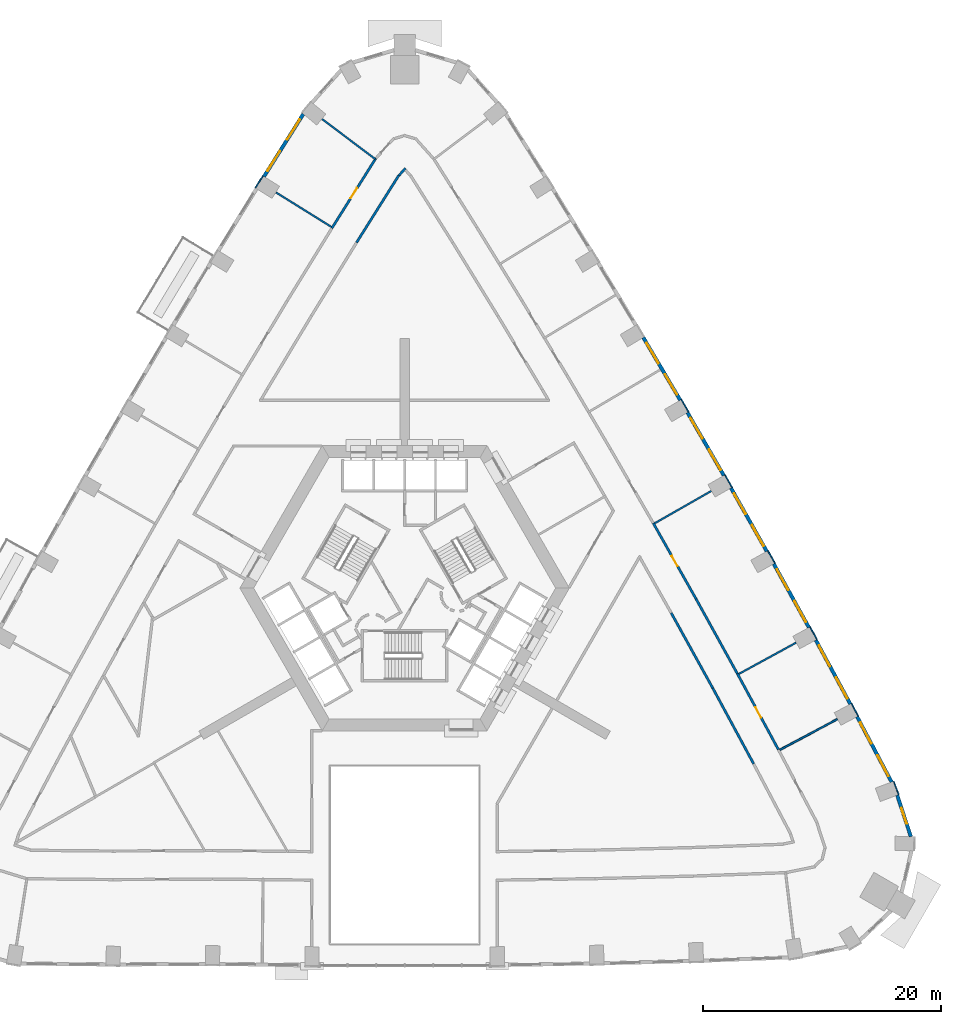
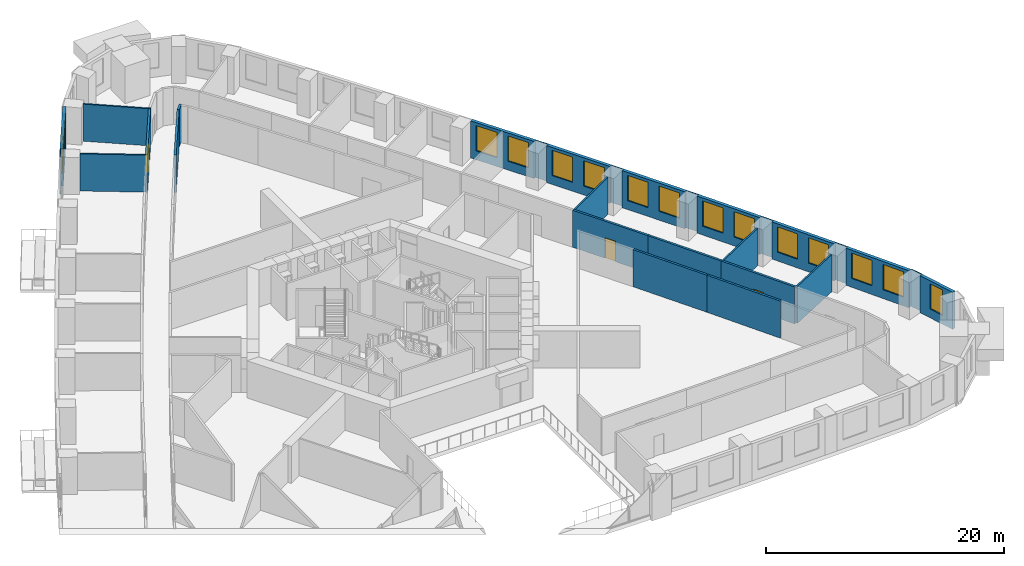
# One storey, part 11 of 16: 28 walls, 15 windows, 3 doors, 18 openings.
"""IFC4 building model written with IfcOpenShell, lengths in metres."""

import ifcopenshell
import ifcopenshell.guid

model = None  # the IFC model being written
_history = None  # IfcOwnerHistory: only IFC2X3 demands one
_inside = {}  # id of a spatial element -> (the spatial element, [elements in it])
_under = {}  # id of a project, library or spatial element -> (it, [spatial elements below it])
_declared = {}  # id of a project -> (the project, [libraries it declares])
_typed = {}  # id of a type object -> (the type object, [elements of that type])
_made_of = {}  # id of a material, layer set ... -> (it, [elements and type objects made of it])


def new_model(schema):
    """Start an empty IFC model of exactly this schema.

    Asked for "IFC4X3", IfcOpenShell would pick the latest addendum, in which some entities
    have other attributes; the version numbers below select the first issue.
    IFC2X3 requires an IfcOwnerHistory on every rooted entity: one is made here for all.
    """
    global model, _history
    if schema == "IFC4X3":
        model = ifcopenshell.file(schema_version=(4, 3, 0, 0))
    else:
        model = ifcopenshell.file(schema=schema)
    _inside.clear()
    _under.clear()
    _declared.clear()
    _typed.clear()
    _made_of.clear()
    _history = None
    if model.schema == "IFC2X3":
        org = make("IfcOrganization", Name="unknown")
        user = make(
            "IfcPersonAndOrganization",
            ThePerson=make("IfcPerson", FamilyName="unknown"),
            TheOrganization=org,
        )
        app = make(
            "IfcApplication",
            ApplicationDeveloper=org,
            Version="unknown",
            ApplicationFullName="unknown",
            ApplicationIdentifier="unknown",
        )
        _history = make(
            "IfcOwnerHistory",
            OwningUser=user,
            OwningApplication=app,
            ChangeAction="ADDED",
            CreationDate=0,
        )
    return model


def make(cls, **values):
    """One entity of the class cls with the attributes given. An attribute that is None is left unset."""
    return model.create_entity(
        cls, **{name: value for name, value in values.items() if value is not None}
    )


def rooted(cls, **values):
    """An entity with a GlobalId (a new one), such as an element, a storey or a relation."""
    return make(cls, GlobalId=ifcopenshell.guid.new(), OwnerHistory=_history, **values)


def si_unit(unit_type, name, prefix=None):
    """IfcSIUnit, for example si_unit("LENGTHUNIT", "METRE", prefix="MILLI")."""
    return make("IfcSIUnit", UnitType=unit_type, Prefix=prefix, Name=name)


def assignment(units):
    """IfcUnitAssignment: the units of a project."""
    return None if units is None else make("IfcUnitAssignment", Units=units)


def point(xyz):
    """IfcCartesianPoint."""
    return None if xyz is None else make("IfcCartesianPoint", Coordinates=xyz)


def direction(xyz):
    """IfcDirection."""
    return None if xyz is None else make("IfcDirection", DirectionRatios=xyz)


def frame(location, z_axis=None, x_axis=None):
    """IfcAxis2Placement3D, a coordinate frame: its origin and axes. An axis left out is left unset."""
    return make(
        "IfcAxis2Placement3D",
        Location=point(location),
        Axis=direction(z_axis),
        RefDirection=direction(x_axis),
    )


def frame_2d(location, x_axis=None):
    """IfcAxis2Placement2D, a coordinate frame in the plane: its origin and x axis."""
    return make(
        "IfcAxis2Placement2D", Location=point(location), RefDirection=direction(x_axis)
    )


def origin():
    """The frame at (0, 0, 0) with its axes left unset."""
    return frame((0.0, 0.0, 0.0))


def place(relative_to, where):
    """IfcLocalPlacement: puts the frame where relative to a parent placement (None: the world)."""
    return make(
        "IfcLocalPlacement", PlacementRelTo=relative_to, RelativePlacement=where
    )


def context(
    kind, dimensions, precision=None, world=None, true_north=None, identifier=None
):
    """IfcGeometricRepresentationContext, for example the 3D "Model" context."""
    return make(
        "IfcGeometricRepresentationContext",
        ContextIdentifier=identifier,
        ContextType=kind,
        CoordinateSpaceDimension=dimensions,
        Precision=precision,
        WorldCoordinateSystem=world,
        TrueNorth=true_north,
    )


def subcontext(parent, identifier, kind, view, scale=None):
    """IfcGeometricRepresentationSubContext, for example "Body" below "Model"."""
    return make(
        "IfcGeometricRepresentationSubContext",
        ContextIdentifier=identifier,
        ContextType=kind,
        ParentContext=parent,
        TargetScale=scale,
        TargetView=view,
    )


def project(units=None, contexts=None):
    """IfcProject with its units and contexts."""
    return rooted(
        "IfcProject",
        Name="project",
        RepresentationContexts=contexts,
        UnitsInContext=assignment(units),
    )


def spatial(cls, under=None, at=None, **own):
    """A site, building, storey or space (cls), placed at a placement, below another one or the project."""
    s = rooted(cls, ObjectPlacement=at, **own)
    if under is not None:
        _under.setdefault(under.id(), (under, []))[1].append(s)
    return s


def profile(cls, at=None, kind="AREA", **sizes):
    """A parametric profile (cls). Its sizes go by their IFC names, for example OverallWidth=200.0."""
    return make(cls, ProfileType=kind, Position=at, **sizes)


def rectangle(**sizes):
    """IfcRectangleProfileDef."""
    return profile("IfcRectangleProfileDef", **sizes)


def extrude(swept, where, along, depth):
    """IfcExtrudedAreaSolid: the profile swept, set in the frame where, extruded along a direction by depth."""
    return make(
        "IfcExtrudedAreaSolid",
        SweptArea=swept,
        Position=where,
        ExtrudedDirection=direction(along),
        Depth=depth,
    )


def shape(context_of_items, identifier, shape_type, items):
    """IfcShapeRepresentation: the items that make up one representation, for example the "Body"."""
    return make(
        "IfcShapeRepresentation",
        ContextOfItems=context_of_items,
        RepresentationIdentifier=identifier,
        RepresentationType=shape_type,
        Items=items,
    )


def material(Name=None, Category=None):
    """IfcMaterial."""
    return make("IfcMaterial", Name=Name, Category=Category)


def layer(
    of_material, thickness, ventilated=None, Name=None, Category=None, Priority=None
):
    """IfcMaterialLayer: one layer of a wall or slab, of a material (None: an air gap)."""
    return make(
        "IfcMaterialLayer",
        Material=of_material,
        LayerThickness=thickness,
        IsVentilated=ventilated,
        Name=Name,
        Category=Category,
        Priority=Priority,
    )


def layer_set(layers, Name=None):
    """IfcMaterialLayerSet."""
    return make("IfcMaterialLayerSet", MaterialLayers=layers, LayerSetName=Name)


def made_of(thing, what):
    """Note that an element or type object is made of a material, layer set ...; save() writes the relation."""
    if what is not None:
        _made_of.setdefault(what.id(), (what, []))[1].append(thing)
    return thing


def type_object(cls, material=None, **own):
    """A type object (cls), such as IfcWallType, which elements share."""
    return made_of(rooted(cls, **own), material)


def element(
    cls,
    number,
    at=None,
    inside=None,
    cuts=None,
    type_object=None,
    material=None,
    context=None,
    identifier="Body",
    shape_type=None,
    held_by="IfcProductDefinitionShape",
    body=None,
    shapes=None,
    **own,
):
    """One element of the class cls, such as IfcWall. Its Tag is "e" and its number.

    at: its placement. inside: the storey or other place that contains it. cuts: it is an
    opening in that element (IfcRelVoidsElement). A single representation is given by context,
    identifier, shape_type and body (its items); several are given by shapes. held_by: the class
    of the entity that holds the representations. save() writes the other relations.
    """
    e = rooted(cls, Tag="e%d" % number, ObjectPlacement=at, **own)
    if body is not None:
        shapes = [shape(context, identifier, shape_type, body)]
    if shapes is not None:
        e.Representation = make(held_by, Representations=shapes)
    if inside is not None:
        _inside.setdefault(inside.id(), (inside, []))[1].append(e)
    if cuts is not None:
        rooted(
            "IfcRelVoidsElement", RelatingBuildingElement=cuts, RelatedOpeningElement=e
        )
    if type_object is not None:
        _typed.setdefault(type_object.id(), (type_object, []))[1].append(e)
    return made_of(e, material)


def fill(opening, filler):
    """IfcRelFillsElement: the door or window that sits in an opening."""
    return rooted(
        "IfcRelFillsElement",
        RelatingOpeningElement=opening,
        RelatedBuildingElement=filler,
    )


def aggregate(whole, parts):
    """IfcRelAggregates: a whole, such as a stair, and the parts it consists of."""
    return rooted("IfcRelAggregates", RelatingObject=whole, RelatedObjects=parts)


def save(model, path):
    """Write the relations noted so far, then the file.

    IfcRelAggregates (storeys below a building ...), IfcRelContainedInSpatialStructure (elements
    in a storey), IfcRelDefinesByType, IfcRelAssociatesMaterial and IfcRelDeclares: one each for
    every whole, place, type object, material and project.
    """
    for whole, parts in _under.values():
        aggregate(whole, parts)
    for where, things in _inside.values():
        rooted(
            "IfcRelContainedInSpatialStructure",
            RelatedElements=things,
            RelatingStructure=where,
        )
    for kind, things in _typed.values():
        rooted("IfcRelDefinesByType", RelatedObjects=things, RelatingType=kind)
    for what, things in _made_of.values():
        rooted("IfcRelAssociatesMaterial", RelatedObjects=things, RelatingMaterial=what)
    for by, libraries in _declared.values():
        rooted("IfcRelDeclares", RelatingContext=by, RelatedDefinitions=libraries)
    model.write(path)


model = new_model("IFC4")

# Units and contexts
model_context = context("Model", 3, precision=1e-05, world=origin(), true_north=direction((0.0, 1.0)))
body_context = subcontext(model_context, "Body", "Model", "MODEL_VIEW")
ifc_project = project(units=[si_unit("LENGTHUNIT", "METRE"), si_unit("AREAUNIT", "SQUARE_METRE"), si_unit("VOLUMEUNIT", "CUBIC_METRE"), si_unit("PLANEANGLEUNIT", "RADIAN"), si_unit("MASSUNIT", "GRAM", prefix="KILO")], contexts=[model_context])

# Site, building, storey
site_placement = place(None, origin())
site = spatial("IfcSite", under=ifc_project, at=site_placement, CompositionType="ELEMENT")
building_placement = place(site_placement, origin())
building = spatial("IfcBuilding", under=site, at=building_placement, Name="Entoto Arch Interchange Tower", CompositionType="ELEMENT")
storey_placement = place(building_placement, frame((0.0, 0.0, 68.60009765625)))
storey = spatial("IfcBuildingStorey", under=building, at=storey_placement, Name="L14", CompositionType="ELEMENT", Elevation=68.60009765625)

# Walls
ifc_material_1 = material(Name="Gypsum board partition on steel studs", Category="steel")
ifc_layer_1 = layer(ifc_material_1, 0.14990234375)
ifc_layer_set_1 = layer_set([ifc_layer_1], Name="Gypsum board partition on steel studs")
wall_type_1 = type_object("IfcWallType", Name="PARTITION 150", PredefinedType="PARTITIONING", material=ifc_layer_set_1)
wall_1_placement = place(storey_placement, frame((31.56103515625, -11.10302734375, 0.0), z_axis=(0.0, 0.0, 1.0), x_axis=(0.882056805494, 0.47114306944, 0.0)))
element("IfcWall", 1, at=wall_1_placement, inside=storey, type_object=wall_type_1, Name="wall:L14:p135", PredefinedType="PARTITIONING", context=body_context, shape_type="SweptSolid", body=[
    extrude(rectangle(XDim=5.48046875, YDim=0.14990234375, at=frame_2d((2.740234375, 0.0))), origin(), (0.0, 0.0, 1.0), 3.7998046875),
])
wall_2_placement = place(storey_placement, frame((28.111083984375, -4.717041015625, 0.0), z_axis=(0.0, 0.0, 1.0), x_axis=(0.877558297547, 0.479469951515, 0.0)))
element("IfcWall", 2, at=wall_2_placement, inside=storey, type_object=wall_type_1, Name="wall:L14:p136", PredefinedType="PARTITIONING", context=body_context, shape_type="SweptSolid", body=[
    extrude(rectangle(XDim=5.48095703125, YDim=0.14990234375, at=frame_2d((2.740478515625, 0.0))), origin(), (0.0, 0.0, 1.0), 3.7998046875),
])
wall_3_placement = place(storey_placement, frame((21.032958984375, 7.952880859375, 0.0), z_axis=(0.0, 0.0, 1.0), x_axis=(0.868311678357, 0.496018980715, 0.0)))
element("IfcWall", 3, at=wall_3_placement, inside=storey, type_object=wall_type_1, Name="wall:L14:p137", PredefinedType="PARTITIONING", context=body_context, shape_type="SweptSolid", body=[
    extrude(rectangle(XDim=5.479736328125, YDim=0.14990234375, at=frame_2d((2.73974609375, 0.0))), origin(), (0.0, 0.0, 1.0), 3.7998046875),
])
wall_4_placement = place(storey_placement, frame((-2.466064453125, 38.580078125, 0.0), z_axis=(0.0, 0.0, 1.0), x_axis=(-0.798796148738, 0.601601789193, 0.0)))
element("IfcWall", 4, at=wall_4_placement, inside=storey, type_object=wall_type_1, Name="wall:L14:p142", PredefinedType="PARTITIONING", context=body_context, shape_type="SweptSolid", body=[
    extrude(rectangle(XDim=5.604736328125, YDim=0.14990234375, at=frame_2d((2.80224609375, 0.0))), origin(), (0.0, 0.0, 1.0), 3.7998046875),
])
wall_5_placement = place(storey_placement, frame((-6.166015625, 32.885009765625, 0.0), z_axis=(0.0, 0.0, 1.0), x_axis=(-0.84915518202, 0.528143424506, 0.0)))
element("IfcWall", 5, at=wall_5_placement, inside=storey, type_object=wall_type_1, Name="wall:L14:p143", PredefinedType="PARTITIONING", context=body_context, shape_type="SweptSolid", body=[
    extrude(rectangle(XDim=5.479736328125, YDim=0.14990234375, at=frame_2d((2.73974609375, 0.0))), origin(), (0.0, 0.0, 1.0), 3.7998046875),
])
ifc_layer_2 = layer(ifc_material_1, 0.199951171875)
ifc_layer_set_2 = layer_set([ifc_layer_2], Name="Gypsum board partition on steel studs")
wall_type_2 = type_object("IfcWallType", Name="PARTITION 200", PredefinedType="PARTITIONING", material=ifc_layer_set_2)
wall_6_placement = place(storey_placement, frame((0.06689453125, 37.81201171875, 0.0), z_axis=(0.0, 0.0, 1.0), x_axis=(-0.667338487106, -0.744754552606, 0.0)))
element("IfcWall", 6, at=wall_6_placement, inside=storey, type_object=wall_type_2, Name="wall:L14:p013", PredefinedType="PARTITIONING", context=body_context, shape_type="SweptSolid", body=[
    extrude(rectangle(XDim=0.813720703125, YDim=0.199951171875, at=frame_2d((0.40673828125, 0.0))), origin(), (0.0, 0.0, 1.0), 3.7998046875),
])
wall_7_placement = place(storey_placement, frame((-0.489013671875, 37.216064453125, 0.0), z_axis=(0.0, 0.0, 1.0), x_axis=(-0.532301094997, -0.846555104092, 0.0)))
element("IfcWall", 7, at=wall_7_placement, inside=storey, type_object=wall_type_2, Name="wall:L14:p014", PredefinedType="PARTITIONING", context=body_context, shape_type="SweptSolid", body=[
    extrude(rectangle(XDim=6.676513671875, YDim=0.199951171875, at=frame_2d((3.33837890625, 0.0))), origin(), (0.0, 0.0, 1.0), 3.7998046875),
])
wall_8_placement = place(storey_placement, frame((29.35595703125, -12.281005859375, 0.0), z_axis=(0.0, 0.0, 1.0), x_axis=(-0.475244544503, 0.87985375087, 0.0)))
element("IfcWall", 8, at=wall_8_placement, inside=storey, type_object=wall_type_2, Name="wall:L14:p024", PredefinedType="PARTITIONING", context=body_context, shape_type="SweptSolid", body=[
    extrude(rectangle(XDim=7.234130859375, YDim=0.199951171875, at=frame_2d((3.6171875, 0.0))), origin(), (0.0, 0.0, 1.0), 3.7998046875),
])
wall_9_placement = place(storey_placement, frame((25.91796875, -5.916015625, 0.0), z_axis=(0.0, 0.0, 1.0), x_axis=(-0.483612623402, 0.875282143361, 0.0)))
element("IfcWall", 9, at=wall_9_placement, inside=storey, type_object=wall_type_2, Name="wall:L14:p025", PredefinedType="PARTITIONING", context=body_context, shape_type="SweptSolid", body=[
    extrude(rectangle(XDim=7.233154296875, YDim=0.199951171875, at=frame_2d((3.61669921875, 0.0))), origin(), (0.0, 0.0, 1.0), 3.7998046875),
])

# Wall, opening, door
wall_10_placement = place(storey_placement, frame((27.988037109375, -4.698974609375, 0.0), z_axis=(0.0, 0.0, 1.0), x_axis=(0.475319272717, -0.879813383044, 0.0)))
wall_10 = element("IfcWall", 10, at=wall_10_placement, inside=storey, type_object=wall_type_2, Name="wall:L14:p051", PredefinedType="PARTITIONING", context=body_context, shape_type="SweptSolid", body=[
    extrude(rectangle(XDim=7.256103515625, YDim=0.199951171875, at=frame_2d((3.6279296875, 0.0))), origin(), (0.0, 0.0, 1.0), 3.7998046875),
])
opening_1_placement = place(wall_10_placement, frame((3.202880859375, 0.0, 0.0)))
opening_1 = element("IfcOpeningElement", 11, at=opening_1_placement, cuts=wall_10, Name="Opening L14-D03", PredefinedType="OPENING", context=body_context, shape_type="SweptSolid", body=[
    extrude(rectangle(XDim=1.0, YDim=2.10009765625, at=frame_2d((0.5, 1.050048828125))), frame((0.0, 0.10986328125, 0.0), z_axis=(0.0, -1.0, 0.0), x_axis=(1.0, 0.0, 0.0)), (0.0, 0.0, 1.0), 0.219970703125),
])
ifc_material_2 = material(Name="Timber door leaf in Steel S235 frame", Category="steel")
door_type = type_object("IfcDoorType", Name="DOOR DS-10 1000x2100", OperationType="SINGLE_SWING_LEFT", PredefinedType="DOOR", material=ifc_material_2)
door_1_placement = place(opening_1_placement, origin())
door_1 = element("IfcDoor", 12, at=door_1_placement, inside=storey, type_object=door_type, Name="door:L14:03", OperationType="SINGLE_SWING_RIGHT", OverallHeight=2.10009765625, OverallWidth=1.0, PredefinedType="DOOR", context=body_context, shape_type="SweptSolid", body=[
    extrude(rectangle(XDim=1.0, YDim=2.10009765625, at=frame_2d((0.5, 1.050048828125))), frame((0.0, 0.02490234375, 0.0), z_axis=(0.0, -1.0, 0.0), x_axis=(1.0, 0.0, 0.0)), (0.0, 0.0, 1.0), 0.050048828125),
])
fill(opening_1, door_1)

wall_11_placement = place(storey_placement, frame((20.908935546875, 7.968994140625, 0.0), z_axis=(0.0, 0.0, 1.0), x_axis=(0.491808171064, -0.870703579225, 0.0)))
wall_11 = element("IfcWall", 13, at=wall_11_placement, inside=storey, type_object=wall_type_2, Name="wall:L14:p052", PredefinedType="PARTITIONING", context=body_context, shape_type="SweptSolid", body=[
    extrude(rectangle(XDim=7.33203125, YDim=0.199951171875, at=frame_2d((3.666015625, 0.0))), origin(), (0.0, 0.0, 1.0), 3.7998046875),
])
opening_2_placement = place(wall_11_placement, frame((3.166015625, 0.0, 0.0)))
opening_2 = element("IfcOpeningElement", 14, at=opening_2_placement, cuts=wall_11, Name="Opening L14-D04", PredefinedType="OPENING", context=body_context, shape_type="SweptSolid", body=[
    extrude(rectangle(XDim=1.0, YDim=2.10009765625, at=frame_2d((0.5, 1.050048828125))), frame((0.0, 0.10986328125, 0.0), z_axis=(0.0, -1.0, 0.0), x_axis=(1.0, 0.0, 0.0)), (0.0, 0.0, 1.0), 0.219970703125),
])
door_2_placement = place(opening_2_placement, origin())
door_2 = element("IfcDoor", 15, at=door_2_placement, inside=storey, type_object=door_type, Name="door:L14:04", OperationType="SINGLE_SWING_RIGHT", OverallHeight=2.10009765625, OverallWidth=1.0, PredefinedType="DOOR", context=body_context, shape_type="SweptSolid", body=[
    extrude(rectangle(XDim=1.0, YDim=2.10009765625, at=frame_2d((0.5, 1.050048828125))), frame((0.0, 0.02490234375, 0.0), z_axis=(0.0, -1.0, 0.0), x_axis=(1.0, 0.0, 0.0)), (0.0, 0.0, 1.0), 0.050048828125),
])
fill(opening_2, door_2)

# Wall
wall_12_placement = place(storey_placement, frame((24.514892578125, 1.5849609375, 0.0), z_axis=(0.0, 0.0, 1.0), x_axis=(0.483629211989, -0.875272977597, 0.0)))
element("IfcWall", 16, at=wall_12_placement, inside=storey, type_object=wall_type_2, Name="wall:L14:p053", PredefinedType="PARTITIONING", context=body_context, shape_type="SweptSolid", body=[
    extrude(rectangle(XDim=7.179443359375, YDim=0.199951171875, at=frame_2d((3.58984375, 0.0))), origin(), (0.0, 0.0, 1.0), 3.7998046875),
])

# Wall, opening, door
wall_13_placement = place(storey_placement, frame((-6.12109375, 32.76806640625, 0.0), z_axis=(0.0, 0.0, 1.0), x_axis=(0.532309351336, 0.846549912574, 0.0)))
wall_13 = element("IfcWall", 17, at=wall_13_placement, inside=storey, type_object=wall_type_2, Name="wall:L14:p066", PredefinedType="PARTITIONING", context=body_context, shape_type="SweptSolid", body=[
    extrude(rectangle(XDim=6.9658203125, YDim=0.199951171875, at=frame_2d((3.48291015625, 0.0))), origin(), (0.0, 0.0, 1.0), 3.7998046875),
])
opening_3_placement = place(wall_13_placement, frame((2.98291015625, 0.0, 0.0)))
opening_3 = element("IfcOpeningElement", 18, at=opening_3_placement, cuts=wall_13, Name="Opening L14-D10", PredefinedType="OPENING", context=body_context, shape_type="SweptSolid", body=[
    extrude(rectangle(XDim=1.0, YDim=2.10009765625, at=frame_2d((0.5, 1.050048828125))), frame((0.0, 0.10986328125, 0.0), z_axis=(0.0, -1.0, 0.0), x_axis=(1.0, 0.0, 0.0)), (0.0, 0.0, 1.0), 0.219970703125),
])
door_3_placement = place(opening_3_placement, origin())
door_3 = element("IfcDoor", 19, at=door_3_placement, inside=storey, type_object=door_type, Name="door:L14:10", OperationType="SINGLE_SWING_LEFT", OverallHeight=2.10009765625, OverallWidth=1.0, PredefinedType="DOOR", context=body_context, shape_type="SweptSolid", body=[
    extrude(rectangle(XDim=1.0, YDim=2.10009765625, at=frame_2d((0.5, 1.050048828125))), frame((0.0, 0.02490234375, 0.0), z_axis=(0.0, -1.0, 0.0), x_axis=(1.0, 0.0, 0.0)), (0.0, 0.0, 1.0), 0.050048828125),
])
fill(opening_3, door_3)

# Wall, opening, window
ifc_material_3 = material(Name="Welded tuff (ignimbrite) cladding, warm buff", Category="masonry")
ifc_layer_3 = layer(ifc_material_3, 0.300048828125)
ifc_layer_set_3 = layer_set([ifc_layer_3], Name="Welded tuff (ignimbrite) cladding, warm buff")
wall_type_3 = type_object("IfcWallType", Name="STONE INFILL WALL 300", PredefinedType="STANDARD", material=ifc_layer_set_3)
wall_14_placement = place(storey_placement, frame((42.577880859375, -18.39501953125, 0.0), z_axis=(0.0, 0.0, 1.0), x_axis=(-0.31208801137, 0.95005319491, 0.0)))
wall_14 = element("IfcWall", 20, at=wall_14_placement, inside=storey, type_object=wall_type_3, Name="Facade wall SE-04 L14", PredefinedType="STANDARD", context=body_context, shape_type="SweptSolid", body=[
    extrude(rectangle(XDim=3.6650390625, YDim=0.300048828125, at=frame_2d((1.83251953125, 0.0))), origin(), (0.0, 0.0, 1.0), 3.7998046875),
])
opening_4_placement = place(wall_14_placement, frame((1.133056640625, 0.0, 0.89990234375)))
opening_4 = element("IfcOpeningElement", 21, at=opening_4_placement, cuts=wall_14, Name="Opening WO-B", PredefinedType="OPENING", context=body_context, shape_type="SweptSolid", body=[
    extrude(rectangle(XDim=1.39990234375, YDim=2.60009765625, at=frame_2d((0.699951171875, 1.300048828125))), frame((0.0, 0.16015625, 0.0), z_axis=(0.0, -1.0, 0.0), x_axis=(1.0, 0.0, 0.0)), (0.0, 0.0, 1.0), 0.320068359375),
])
ifc_material_4 = material(Name="Clear glass, low-e double glazed", Category="glass")
window_type_1 = type_object("IfcWindowType", Name="WINDOW WO-B 1400x2600", PartitioningType="DOUBLE_PANEL_VERTICAL", PredefinedType="WINDOW", material=ifc_material_4)
window_1_placement = place(opening_4_placement, origin())
window_1 = element("IfcWindow", 22, at=window_1_placement, inside=storey, type_object=window_type_1, Name="Window WO-B SE-04 L14", OverallHeight=2.60009765625, OverallWidth=1.39990234375, PartitioningType="SINGLE_PANEL", PredefinedType="WINDOW", context=body_context, shape_type="SweptSolid", body=[
    extrude(rectangle(XDim=1.39990234375, YDim=2.60009765625, at=frame_2d((0.699951171875, 1.300048828125))), frame((0.0, 0.030029296875, 0.0), z_axis=(0.0, -1.0, 0.0), x_axis=(1.0, 0.0, 0.0)), (0.0, 0.0, 1.0), 0.06005859375),
])
fill(opening_4, window_1)

# Wall, openings, windows
wall_15_placement = place(storey_placement, frame((40.964111328125, -13.81005859375, 0.0), z_axis=(0.0, 0.0, 1.0), x_axis=(-0.467041710902, 0.884235285587, 0.0)))
wall_15 = element("IfcWall", 23, at=wall_15_placement, inside=storey, type_object=wall_type_3, Name="Facade wall NE-01 L14", PredefinedType="STANDARD", context=body_context, shape_type="SweptSolid", body=[
    extrude(rectangle(XDim=6.219970703125, YDim=0.300048828125, at=frame_2d((3.10986328125, 0.0))), origin(), (0.0, 0.0, 1.0), 3.7998046875),
])
opening_5_placement = place(wall_15_placement, frame((0.554931640625, 0.0, 0.89990234375)))
opening_5 = element("IfcOpeningElement", 24, at=opening_5_placement, cuts=wall_15, Name="Opening WO-C", PredefinedType="OPENING", context=body_context, shape_type="SweptSolid", body=[
    extrude(rectangle(XDim=2.0, YDim=2.60009765625, at=frame_2d((1.0, 1.300048828125))), frame((0.0, 0.16015625, 0.0), z_axis=(0.0, -1.0, 0.0), x_axis=(1.0, 0.0, 0.0)), (0.0, 0.0, 1.0), 0.320068359375),
])
opening_6_placement = place(wall_15_placement, frame((3.6650390625, 0.0, 0.89990234375)))
opening_6 = element("IfcOpeningElement", 25, at=opening_6_placement, cuts=wall_15, Name="Opening WO-C", PredefinedType="OPENING", context=body_context, shape_type="SweptSolid", body=[
    extrude(rectangle(XDim=2.0, YDim=2.60009765625, at=frame_2d((1.0, 1.300048828125))), frame((0.0, 0.16015625, 0.0), z_axis=(0.0, -1.0, 0.0), x_axis=(1.0, 0.0, 0.0)), (0.0, 0.0, 1.0), 0.320068359375),
])
window_type_2 = type_object("IfcWindowType", Name="WINDOW WO-C 2000x2600", PartitioningType="DOUBLE_PANEL_VERTICAL", PredefinedType="WINDOW", material=ifc_material_4)
window_2_placement = place(opening_5_placement, origin())
window_2 = element("IfcWindow", 26, at=window_2_placement, inside=storey, type_object=window_type_2, Name="Window WO-C NE-01 L14", OverallHeight=2.60009765625, OverallWidth=2.0, PartitioningType="SINGLE_PANEL", PredefinedType="WINDOW", context=body_context, shape_type="SweptSolid", body=[
    extrude(rectangle(XDim=2.0, YDim=2.60009765625, at=frame_2d((1.0, 1.300048828125))), frame((0.0, 0.030029296875, 0.0), z_axis=(0.0, -1.0, 0.0), x_axis=(1.0, 0.0, 0.0)), (0.0, 0.0, 1.0), 0.06005859375),
])
fill(opening_5, window_2)
window_3_placement = place(opening_6_placement, origin())
window_3 = element("IfcWindow", 27, at=window_3_placement, inside=storey, type_object=window_type_2, Name="Window WO-C NE-01 L14", OverallHeight=2.60009765625, OverallWidth=2.0, PartitioningType="SINGLE_PANEL", PredefinedType="WINDOW", context=body_context, shape_type="SweptSolid", body=[
    extrude(rectangle(XDim=2.0, YDim=2.60009765625, at=frame_2d((1.0, 1.300048828125))), frame((0.0, 0.030029296875, 0.0), z_axis=(0.0, -1.0, 0.0), x_axis=(1.0, 0.0, 0.0)), (0.0, 0.0, 1.0), 0.06005859375),
])
fill(opening_6, window_3)

wall_16_placement = place(storey_placement, frame((37.4951171875, -7.2529296875, 0.0), z_axis=(0.0, 0.0, 1.0), x_axis=(-0.475413659872, 0.879762383833, 0.0)))
wall_16 = element("IfcWall", 28, at=wall_16_placement, inside=storey, type_object=wall_type_3, Name="Facade wall NE-02 L14", PredefinedType="STANDARD", context=body_context, shape_type="SweptSolid", body=[
    extrude(rectangle(XDim=6.12548828125, YDim=0.300048828125, at=frame_2d((3.062744140625, 0.0))), origin(), (0.0, 0.0, 1.0), 3.7998046875),
])
opening_7_placement = place(wall_16_placement, frame((0.531005859375, 0.0, 0.89990234375)))
opening_7 = element("IfcOpeningElement", 29, at=opening_7_placement, cuts=wall_16, Name="Opening WO-C", PredefinedType="OPENING", context=body_context, shape_type="SweptSolid", body=[
    extrude(rectangle(XDim=2.0, YDim=2.60009765625, at=frame_2d((1.0, 1.300048828125))), frame((0.0, 0.16015625, 0.0), z_axis=(0.0, -1.0, 0.0), x_axis=(1.0, 0.0, 0.0)), (0.0, 0.0, 1.0), 0.320068359375),
])
opening_8_placement = place(wall_16_placement, frame((3.593994140625, 0.0, 0.89990234375)))
opening_8 = element("IfcOpeningElement", 30, at=opening_8_placement, cuts=wall_16, Name="Opening WO-C", PredefinedType="OPENING", context=body_context, shape_type="SweptSolid", body=[
    extrude(rectangle(XDim=2.0, YDim=2.60009765625, at=frame_2d((1.0, 1.300048828125))), frame((0.0, 0.16015625, 0.0), z_axis=(0.0, -1.0, 0.0), x_axis=(1.0, 0.0, 0.0)), (0.0, 0.0, 1.0), 0.320068359375),
])
window_4_placement = place(opening_7_placement, origin())
window_4 = element("IfcWindow", 31, at=window_4_placement, inside=storey, type_object=window_type_2, Name="Window WO-C NE-02 L14", OverallHeight=2.60009765625, OverallWidth=2.0, PartitioningType="SINGLE_PANEL", PredefinedType="WINDOW", context=body_context, shape_type="SweptSolid", body=[
    extrude(rectangle(XDim=2.0, YDim=2.60009765625, at=frame_2d((1.0, 1.300048828125))), frame((0.0, 0.030029296875, 0.0), z_axis=(0.0, -1.0, 0.0), x_axis=(1.0, 0.0, 0.0)), (0.0, 0.0, 1.0), 0.06005859375),
])
fill(opening_7, window_4)
window_5_placement = place(opening_8_placement, origin())
window_5 = element("IfcWindow", 32, at=window_5_placement, inside=storey, type_object=window_type_2, Name="Window WO-C NE-02 L14", OverallHeight=2.60009765625, OverallWidth=2.0, PartitioningType="SINGLE_PANEL", PredefinedType="WINDOW", context=body_context, shape_type="SweptSolid", body=[
    extrude(rectangle(XDim=2.0, YDim=2.60009765625, at=frame_2d((1.0, 1.300048828125))), frame((0.0, 0.030029296875, 0.0), z_axis=(0.0, -1.0, 0.0), x_axis=(1.0, 0.0, 0.0)), (0.0, 0.0, 1.0), 0.06005859375),
])
fill(opening_8, window_5)

wall_17_placement = place(storey_placement, frame((34.009033203125, -0.81201171875, 0.0), z_axis=(0.0, 0.0, 1.0), x_axis=(-0.483587271547, 0.875296150339, 0.0)))
wall_17 = element("IfcWall", 33, at=wall_17_placement, inside=storey, type_object=wall_type_3, Name="Facade wall NE-03 L14", PredefinedType="STANDARD", context=body_context, shape_type="SweptSolid", body=[
    extrude(rectangle(XDim=6.125, YDim=0.300048828125, at=frame_2d((3.0625, 0.0))), origin(), (0.0, 0.0, 1.0), 3.7998046875),
])
opening_9_placement = place(wall_17_placement, frame((0.531005859375, 0.0, 0.89990234375)))
opening_9 = element("IfcOpeningElement", 34, at=opening_9_placement, cuts=wall_17, Name="Opening WO-C", PredefinedType="OPENING", context=body_context, shape_type="SweptSolid", body=[
    extrude(rectangle(XDim=2.0, YDim=2.60009765625, at=frame_2d((1.0, 1.300048828125))), frame((0.0, 0.16015625, 0.0), z_axis=(0.0, -1.0, 0.0), x_axis=(1.0, 0.0, 0.0)), (0.0, 0.0, 1.0), 0.320068359375),
])
opening_10_placement = place(wall_17_placement, frame((3.593994140625, 0.0, 0.89990234375)))
opening_10 = element("IfcOpeningElement", 35, at=opening_10_placement, cuts=wall_17, Name="Opening WO-C", PredefinedType="OPENING", context=body_context, shape_type="SweptSolid", body=[
    extrude(rectangle(XDim=2.0, YDim=2.60009765625, at=frame_2d((1.0, 1.300048828125))), frame((0.0, 0.16015625, 0.0), z_axis=(0.0, -1.0, 0.0), x_axis=(1.0, 0.0, 0.0)), (0.0, 0.0, 1.0), 0.320068359375),
])
window_6_placement = place(opening_9_placement, origin())
window_6 = element("IfcWindow", 36, at=window_6_placement, inside=storey, type_object=window_type_2, Name="Window WO-C NE-03 L14", OverallHeight=2.60009765625, OverallWidth=2.0, PartitioningType="SINGLE_PANEL", PredefinedType="WINDOW", context=body_context, shape_type="SweptSolid", body=[
    extrude(rectangle(XDim=2.0, YDim=2.60009765625, at=frame_2d((1.0, 1.300048828125))), frame((0.0, 0.030029296875, 0.0), z_axis=(0.0, -1.0, 0.0), x_axis=(1.0, 0.0, 0.0)), (0.0, 0.0, 1.0), 0.06005859375),
])
fill(opening_9, window_6)
window_7_placement = place(opening_10_placement, origin())
window_7 = element("IfcWindow", 37, at=window_7_placement, inside=storey, type_object=window_type_2, Name="Window WO-C NE-03 L14", OverallHeight=2.60009765625, OverallWidth=2.0, PartitioningType="SINGLE_PANEL", PredefinedType="WINDOW", context=body_context, shape_type="SweptSolid", body=[
    extrude(rectangle(XDim=2.0, YDim=2.60009765625, at=frame_2d((1.0, 1.300048828125))), frame((0.0, 0.030029296875, 0.0), z_axis=(0.0, -1.0, 0.0), x_axis=(1.0, 0.0, 0.0)), (0.0, 0.0, 1.0), 0.06005859375),
])
fill(opening_10, window_7)

wall_18_placement = place(storey_placement, frame((30.4619140625, 5.594970703125, 0.0), z_axis=(0.0, 0.0, 1.0), x_axis=(-0.491887822214, 0.870658584267, 0.0)))
wall_18 = element("IfcWall", 38, at=wall_18_placement, inside=storey, type_object=wall_type_3, Name="Facade wall NE-04 L14", PredefinedType="STANDARD", context=body_context, shape_type="SweptSolid", body=[
    extrude(rectangle(XDim=6.125244140625, YDim=0.300048828125, at=frame_2d((3.0625, 0.0))), origin(), (0.0, 0.0, 1.0), 3.7998046875),
])
opening_11_placement = place(wall_18_placement, frame((0.531005859375, 0.0, 0.89990234375)))
opening_11 = element("IfcOpeningElement", 39, at=opening_11_placement, cuts=wall_18, Name="Opening WO-C", PredefinedType="OPENING", context=body_context, shape_type="SweptSolid", body=[
    extrude(rectangle(XDim=2.0, YDim=2.60009765625, at=frame_2d((1.0, 1.300048828125))), frame((0.0, 0.16015625, 0.0), z_axis=(0.0, -1.0, 0.0), x_axis=(1.0, 0.0, 0.0)), (0.0, 0.0, 1.0), 0.320068359375),
])
opening_12_placement = place(wall_18_placement, frame((3.593994140625, 0.0, 0.89990234375)))
opening_12 = element("IfcOpeningElement", 40, at=opening_12_placement, cuts=wall_18, Name="Opening WO-C", PredefinedType="OPENING", context=body_context, shape_type="SweptSolid", body=[
    extrude(rectangle(XDim=2.0, YDim=2.60009765625, at=frame_2d((1.0, 1.300048828125))), frame((0.0, 0.16015625, 0.0), z_axis=(0.0, -1.0, 0.0), x_axis=(1.0, 0.0, 0.0)), (0.0, 0.0, 1.0), 0.320068359375),
])
window_8_placement = place(opening_11_placement, origin())
window_8 = element("IfcWindow", 41, at=window_8_placement, inside=storey, type_object=window_type_2, Name="Window WO-C NE-04 L14", OverallHeight=2.60009765625, OverallWidth=2.0, PartitioningType="SINGLE_PANEL", PredefinedType="WINDOW", context=body_context, shape_type="SweptSolid", body=[
    extrude(rectangle(XDim=2.0, YDim=2.60009765625, at=frame_2d((1.0, 1.300048828125))), frame((0.0, 0.030029296875, 0.0), z_axis=(0.0, -1.0, 0.0), x_axis=(1.0, 0.0, 0.0)), (0.0, 0.0, 1.0), 0.06005859375),
])
fill(opening_11, window_8)
window_9_placement = place(opening_12_placement, origin())
window_9 = element("IfcWindow", 42, at=window_9_placement, inside=storey, type_object=window_type_2, Name="Window WO-C NE-04 L14", OverallHeight=2.60009765625, OverallWidth=2.0, PartitioningType="SINGLE_PANEL", PredefinedType="WINDOW", context=body_context, shape_type="SweptSolid", body=[
    extrude(rectangle(XDim=2.0, YDim=2.60009765625, at=frame_2d((1.0, 1.300048828125))), frame((0.0, 0.030029296875, 0.0), z_axis=(0.0, -1.0, 0.0), x_axis=(1.0, 0.0, 0.0)), (0.0, 0.0, 1.0), 0.06005859375),
])
fill(opening_12, window_9)

wall_19_placement = place(storey_placement, frame((26.85498046875, 11.968017578125, 0.0), z_axis=(0.0, 0.0, 1.0), x_axis=(-0.499903021601, 0.86608138705, 0.0)))
wall_19 = element("IfcWall", 43, at=wall_19_placement, inside=storey, type_object=wall_type_3, Name="Facade wall NE-05 L14", PredefinedType="STANDARD", context=body_context, shape_type="SweptSolid", body=[
    extrude(rectangle(XDim=6.125244140625, YDim=0.300048828125, at=frame_2d((3.0625, 0.0))), origin(), (0.0, 0.0, 1.0), 3.7998046875),
])
opening_13_placement = place(wall_19_placement, frame((0.531005859375, 0.0, 0.89990234375)))
opening_13 = element("IfcOpeningElement", 44, at=opening_13_placement, cuts=wall_19, Name="Opening WO-C", PredefinedType="OPENING", context=body_context, shape_type="SweptSolid", body=[
    extrude(rectangle(XDim=2.0, YDim=2.60009765625, at=frame_2d((1.0, 1.300048828125))), frame((0.0, 0.16015625, 0.0), z_axis=(0.0, -1.0, 0.0), x_axis=(1.0, 0.0, 0.0)), (0.0, 0.0, 1.0), 0.320068359375),
])
opening_14_placement = place(wall_19_placement, frame((3.593994140625, 0.0, 0.89990234375)))
opening_14 = element("IfcOpeningElement", 45, at=opening_14_placement, cuts=wall_19, Name="Opening WO-C", PredefinedType="OPENING", context=body_context, shape_type="SweptSolid", body=[
    extrude(rectangle(XDim=2.0, YDim=2.60009765625, at=frame_2d((1.0, 1.300048828125))), frame((0.0, 0.16015625, 0.0), z_axis=(0.0, -1.0, 0.0), x_axis=(1.0, 0.0, 0.0)), (0.0, 0.0, 1.0), 0.320068359375),
])
window_10_placement = place(opening_13_placement, origin())
window_10 = element("IfcWindow", 46, at=window_10_placement, inside=storey, type_object=window_type_2, Name="Window WO-C NE-05 L14", OverallHeight=2.60009765625, OverallWidth=2.0, PartitioningType="SINGLE_PANEL", PredefinedType="WINDOW", context=body_context, shape_type="SweptSolid", body=[
    extrude(rectangle(XDim=2.0, YDim=2.60009765625, at=frame_2d((1.0, 1.300048828125))), frame((0.0, 0.030029296875, 0.0), z_axis=(0.0, -1.0, 0.0), x_axis=(1.0, 0.0, 0.0)), (0.0, 0.0, 1.0), 0.06005859375),
])
fill(opening_13, window_10)
window_11_placement = place(opening_14_placement, origin())
window_11 = element("IfcWindow", 47, at=window_11_placement, inside=storey, type_object=window_type_2, Name="Window WO-C NE-05 L14", OverallHeight=2.60009765625, OverallWidth=2.0, PartitioningType="SINGLE_PANEL", PredefinedType="WINDOW", context=body_context, shape_type="SweptSolid", body=[
    extrude(rectangle(XDim=2.0, YDim=2.60009765625, at=frame_2d((1.0, 1.300048828125))), frame((0.0, 0.030029296875, 0.0), z_axis=(0.0, -1.0, 0.0), x_axis=(1.0, 0.0, 0.0)), (0.0, 0.0, 1.0), 0.06005859375),
])
fill(opening_14, window_11)

wall_20_placement = place(storey_placement, frame((23.18896484375, 18.306884765625, 0.0), z_axis=(0.0, 0.0, 1.0), x_axis=(-0.508163938648, 0.861260362177, 0.0)))
wall_20 = element("IfcWall", 48, at=wall_20_placement, inside=storey, type_object=wall_type_3, Name="Facade wall NE-06 L14", PredefinedType="STANDARD", context=body_context, shape_type="SweptSolid", body=[
    extrude(rectangle(XDim=6.1259765625, YDim=0.300048828125, at=frame_2d((3.06298828125, 0.0))), origin(), (0.0, 0.0, 1.0), 3.7998046875),
])
opening_15_placement = place(wall_20_placement, frame((0.531005859375, 0.0, 0.89990234375)))
opening_15 = element("IfcOpeningElement", 49, at=opening_15_placement, cuts=wall_20, Name="Opening WO-C", PredefinedType="OPENING", context=body_context, shape_type="SweptSolid", body=[
    extrude(rectangle(XDim=2.0, YDim=2.60009765625, at=frame_2d((1.0, 1.300048828125))), frame((0.0, 0.16015625, 0.0), z_axis=(0.0, -1.0, 0.0), x_axis=(1.0, 0.0, 0.0)), (0.0, 0.0, 1.0), 0.320068359375),
])
opening_16_placement = place(wall_20_placement, frame((3.593994140625, 0.0, 0.89990234375)))
opening_16 = element("IfcOpeningElement", 50, at=opening_16_placement, cuts=wall_20, Name="Opening WO-C", PredefinedType="OPENING", context=body_context, shape_type="SweptSolid", body=[
    extrude(rectangle(XDim=2.0, YDim=2.60009765625, at=frame_2d((1.0, 1.300048828125))), frame((0.0, 0.16015625, 0.0), z_axis=(0.0, -1.0, 0.0), x_axis=(1.0, 0.0, 0.0)), (0.0, 0.0, 1.0), 0.320068359375),
])
window_12_placement = place(opening_15_placement, origin())
window_12 = element("IfcWindow", 51, at=window_12_placement, inside=storey, type_object=window_type_2, Name="Window WO-C NE-06 L14", OverallHeight=2.60009765625, OverallWidth=2.0, PartitioningType="SINGLE_PANEL", PredefinedType="WINDOW", context=body_context, shape_type="SweptSolid", body=[
    extrude(rectangle(XDim=2.0, YDim=2.60009765625, at=frame_2d((1.0, 1.300048828125))), frame((0.0, 0.030029296875, 0.0), z_axis=(0.0, -1.0, 0.0), x_axis=(1.0, 0.0, 0.0)), (0.0, 0.0, 1.0), 0.06005859375),
])
fill(opening_15, window_12)
window_13_placement = place(opening_16_placement, origin())
window_13 = element("IfcWindow", 52, at=window_13_placement, inside=storey, type_object=window_type_2, Name="Window WO-C NE-06 L14", OverallHeight=2.60009765625, OverallWidth=2.0, PartitioningType="SINGLE_PANEL", PredefinedType="WINDOW", context=body_context, shape_type="SweptSolid", body=[
    extrude(rectangle(XDim=2.0, YDim=2.60009765625, at=frame_2d((1.0, 1.300048828125))), frame((0.0, 0.030029296875, 0.0), z_axis=(0.0, -1.0, 0.0), x_axis=(1.0, 0.0, 0.0)), (0.0, 0.0, 1.0), 0.06005859375),
])
fill(opening_16, window_13)

wall_21_placement = place(storey_placement, frame((-8.52294921875, 42.3798828125, 0.0), z_axis=(0.0, 0.0, 1.0), x_axis=(-0.532322705893, -0.846541515102, 0.0)))
wall_21 = element("IfcWall", 53, at=wall_21_placement, inside=storey, type_object=wall_type_3, Name="Facade wall NW-01 L14", PredefinedType="STANDARD", context=body_context, shape_type="SweptSolid", body=[
    extrude(rectangle(XDim=6.21826171875, YDim=0.300048828125, at=frame_2d((3.109130859375, 0.0))), origin(), (0.0, 0.0, 1.0), 3.7998046875),
])
opening_17_placement = place(wall_21_placement, frame((0.554931640625, 0.0, 0.89990234375)))
opening_17 = element("IfcOpeningElement", 54, at=opening_17_placement, cuts=wall_21, Name="Opening WO-C", PredefinedType="OPENING", context=body_context, shape_type="SweptSolid", body=[
    extrude(rectangle(XDim=2.0, YDim=2.60009765625, at=frame_2d((1.0, 1.300048828125))), frame((0.0, 0.16015625, 0.0), z_axis=(0.0, -1.0, 0.0), x_axis=(1.0, 0.0, 0.0)), (0.0, 0.0, 1.0), 0.320068359375),
])
opening_18_placement = place(wall_21_placement, frame((3.6640625, 0.0, 0.89990234375)))
opening_18 = element("IfcOpeningElement", 55, at=opening_18_placement, cuts=wall_21, Name="Opening WO-C", PredefinedType="OPENING", context=body_context, shape_type="SweptSolid", body=[
    extrude(rectangle(XDim=2.0, YDim=2.60009765625, at=frame_2d((1.0, 1.300048828125))), frame((0.0, 0.16015625, 0.0), z_axis=(0.0, -1.0, 0.0), x_axis=(1.0, 0.0, 0.0)), (0.0, 0.0, 1.0), 0.320068359375),
])
window_14_placement = place(opening_17_placement, origin())
window_14 = element("IfcWindow", 56, at=window_14_placement, inside=storey, type_object=window_type_2, Name="Window WO-C NW-01 L14", OverallHeight=2.60009765625, OverallWidth=2.0, PartitioningType="SINGLE_PANEL", PredefinedType="WINDOW", context=body_context, shape_type="SweptSolid", body=[
    extrude(rectangle(XDim=2.0, YDim=2.60009765625, at=frame_2d((1.0, 1.300048828125))), frame((0.0, 0.030029296875, 0.0), z_axis=(0.0, -1.0, 0.0), x_axis=(1.0, 0.0, 0.0)), (0.0, 0.0, 1.0), 0.06005859375),
])
fill(opening_17, window_14)
window_15_placement = place(opening_18_placement, origin())
window_15 = element("IfcWindow", 57, at=window_15_placement, inside=storey, type_object=window_type_2, Name="Window WO-C NW-01 L14", OverallHeight=2.60009765625, OverallWidth=2.0, PartitioningType="SINGLE_PANEL", PredefinedType="WINDOW", context=body_context, shape_type="SweptSolid", body=[
    extrude(rectangle(XDim=2.0, YDim=2.60009765625, at=frame_2d((1.0, 1.300048828125))), frame((0.0, 0.030029296875, 0.0), z_axis=(0.0, -1.0, 0.0), x_axis=(1.0, 0.0, 0.0)), (0.0, 0.0, 1.0), 0.06005859375),
])
fill(opening_18, window_15)

# Walls
ifc_layer_4 = layer(ifc_material_3, 0.10009765625)
ifc_layer_set_4 = layer_set([ifc_layer_4], Name="Welded tuff (ignimbrite) cladding, warm buff")
wall_type_4 = type_object("IfcWallType", Name="STONE PIER CLADDING 100", PredefinedType="STANDARD", material=ifc_layer_set_4)
wall_22_placement = place(storey_placement, frame((41.550048828125, -14.87109375, 0.0), z_axis=(0.0, 0.0, 1.0), x_axis=(-0.348268249601, 0.937394914814, 0.0)))
element("IfcWall", 58, at=wall_22_placement, inside=storey, type_object=wall_type_4, Name="Stone pier NE01 L14", PredefinedType="STANDARD", context=body_context, shape_type="SweptSolid", body=[
    extrude(rectangle(XDim=1.2001953125, YDim=0.10009765625, at=frame_2d((0.60009765625, 0.0))), origin(), (0.0, 0.0, 1.0), 3.7998046875),
])
wall_23_placement = place(storey_placement, frame((38.14892578125, -8.262939453125, 0.0), z_axis=(0.0, 0.0, 1.0), x_axis=(-0.469467784567, 0.882949601763, 0.0)))
element("IfcWall", 59, at=wall_23_placement, inside=storey, type_object=wall_type_4, Name="Stone pier NE02 L14", PredefinedType="STANDARD", context=body_context, shape_type="SweptSolid", body=[
    extrude(rectangle(XDim=1.19921875, YDim=0.10009765625, at=frame_2d((0.599609375, 0.0))), origin(), (0.0, 0.0, 1.0), 3.7998046875),
])
wall_24_placement = place(storey_placement, frame((34.673095703125, -1.81591796875, 0.0), z_axis=(0.0, 0.0, 1.0), x_axis=(-0.478267644701, 0.878214131082, 0.0)))
element("IfcWall", 60, at=wall_24_placement, inside=storey, type_object=wall_type_4, Name="Stone pier NE03 L14", PredefinedType="STANDARD", context=body_context, shape_type="SweptSolid", body=[
    extrude(rectangle(XDim=1.2001953125, YDim=0.10009765625, at=frame_2d((0.60009765625, 0.0))), origin(), (0.0, 0.0, 1.0), 3.7998046875),
])
wall_25_placement = place(storey_placement, frame((31.135986328125, 4.597900390625, 0.0), z_axis=(0.0, 0.0, 1.0), x_axis=(-0.486730996044, 0.87355190887, 0.0)))
element("IfcWall", 61, at=wall_25_placement, inside=storey, type_object=wall_type_4, Name="Stone pier NE04 L14", PredefinedType="STANDARD", context=body_context, shape_type="SweptSolid", body=[
    extrude(rectangle(XDim=1.19970703125, YDim=0.10009765625, at=frame_2d((0.599853515625, 0.0))), origin(), (0.0, 0.0, 1.0), 3.7998046875),
])
wall_26_placement = place(storey_placement, frame((27.5390625, 10.97802734375, 0.0), z_axis=(0.0, 0.0, 1.0), x_axis=(-0.495854054996, 0.868405870629, 0.0)))
element("IfcWall", 62, at=wall_26_placement, inside=storey, type_object=wall_type_4, Name="Stone pier NE05 L14", PredefinedType="STANDARD", context=body_context, shape_type="SweptSolid", body=[
    extrude(rectangle(XDim=1.199951171875, YDim=0.10009765625, at=frame_2d((0.60009765625, 0.0))), origin(), (0.0, 0.0, 1.0), 3.7998046875),
])
wall_27_placement = place(storey_placement, frame((23.882080078125, 17.323974609375, 0.0), z_axis=(0.0, 0.0, 1.0), x_axis=(-0.504225229382, 0.863572184623, 0.0)))
element("IfcWall", 63, at=wall_27_placement, inside=storey, type_object=wall_type_4, Name="Stone pier NE06 L14", PredefinedType="STANDARD", context=body_context, shape_type="SweptSolid", body=[
    extrude(rectangle(XDim=1.19970703125, YDim=0.10009765625, at=frame_2d((0.599853515625, 0.0))), origin(), (0.0, 0.0, 1.0), 3.7998046875),
])
wall_28_placement = place(storey_placement, frame((-11.9189453125, 37.169921875, 0.0), z_axis=(0.0, 0.0, 1.0), x_axis=(-0.530273374944, -0.847826720401, 0.0)))
element("IfcWall", 64, at=wall_28_placement, inside=storey, type_object=wall_type_4, Name="Stone pier NW02 L14", PredefinedType="STANDARD", context=body_context, shape_type="SweptSolid", body=[
    extrude(rectangle(XDim=1.199462890625, YDim=0.10009765625, at=frame_2d((0.599609375, 0.0))), origin(), (0.0, 0.0, 1.0), 3.7998046875),
])

save(model, "model.ifc")
